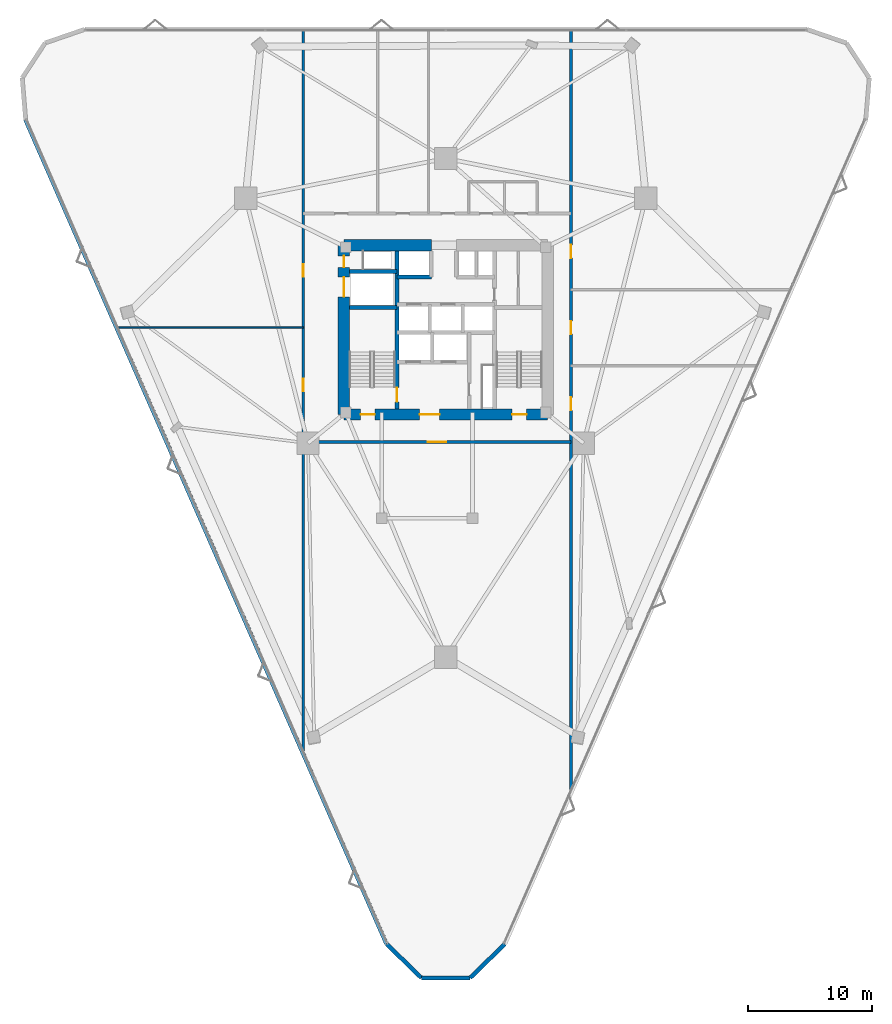
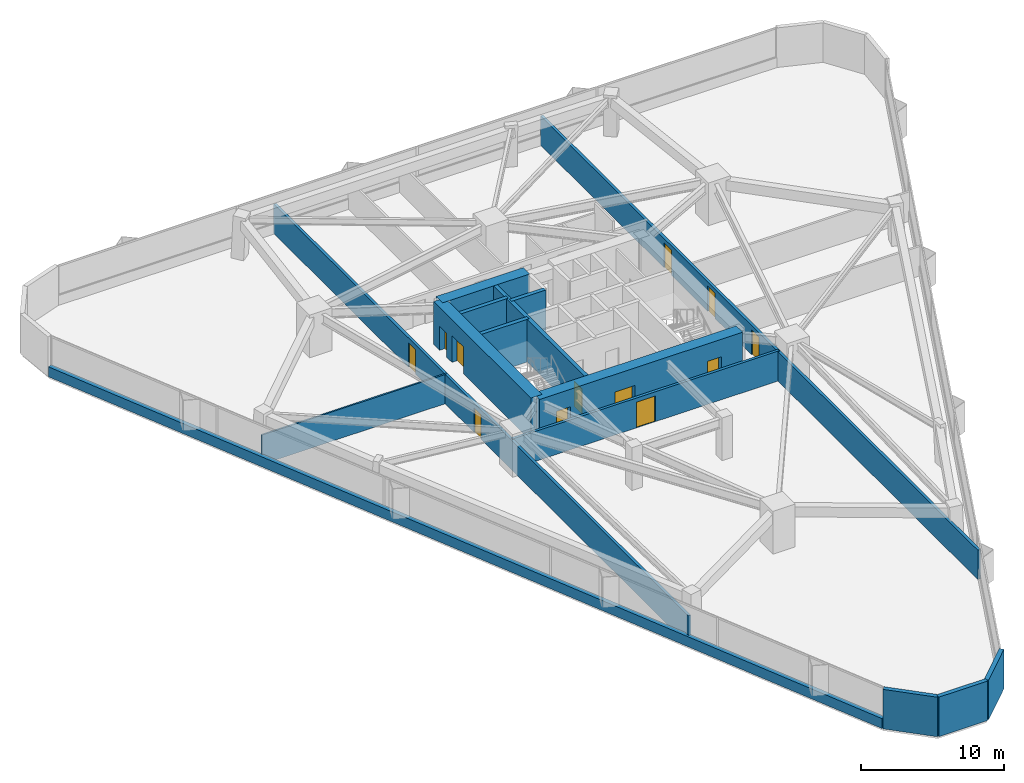
# One storey, part 17 of 20: 15 walls, 12 doors, 12 openings.
"""IFC4 building model written with IfcOpenShell, lengths in metres."""

import ifcopenshell
import ifcopenshell.guid

model = None  # the IFC model being written
_history = None  # IfcOwnerHistory: only IFC2X3 demands one
_inside = {}  # id of a spatial element -> (the spatial element, [elements in it])
_under = {}  # id of a project, library or spatial element -> (it, [spatial elements below it])
_declared = {}  # id of a project -> (the project, [libraries it declares])
_typed = {}  # id of a type object -> (the type object, [elements of that type])
_made_of = {}  # id of a material, layer set ... -> (it, [elements and type objects made of it])


def new_model(schema):
    """Start an empty IFC model of exactly this schema.

    Asked for "IFC4X3", IfcOpenShell would pick the latest addendum, in which some entities
    have other attributes; the version numbers below select the first issue.
    IFC2X3 requires an IfcOwnerHistory on every rooted entity: one is made here for all.
    """
    global model, _history
    if schema == "IFC4X3":
        model = ifcopenshell.file(schema_version=(4, 3, 0, 0))
    else:
        model = ifcopenshell.file(schema=schema)
    _inside.clear()
    _under.clear()
    _declared.clear()
    _typed.clear()
    _made_of.clear()
    _history = None
    if model.schema == "IFC2X3":
        org = make("IfcOrganization", Name="unknown")
        user = make(
            "IfcPersonAndOrganization",
            ThePerson=make("IfcPerson", FamilyName="unknown"),
            TheOrganization=org,
        )
        app = make(
            "IfcApplication",
            ApplicationDeveloper=org,
            Version="unknown",
            ApplicationFullName="unknown",
            ApplicationIdentifier="unknown",
        )
        _history = make(
            "IfcOwnerHistory",
            OwningUser=user,
            OwningApplication=app,
            ChangeAction="ADDED",
            CreationDate=0,
        )
    return model


def make(cls, **values):
    """One entity of the class cls with the attributes given. An attribute that is None is left unset."""
    return model.create_entity(
        cls, **{name: value for name, value in values.items() if value is not None}
    )


def rooted(cls, **values):
    """An entity with a GlobalId (a new one), such as an element, a storey or a relation."""
    return make(cls, GlobalId=ifcopenshell.guid.new(), OwnerHistory=_history, **values)


def si_unit(unit_type, name, prefix=None):
    """IfcSIUnit, for example si_unit("LENGTHUNIT", "METRE", prefix="MILLI")."""
    return make("IfcSIUnit", UnitType=unit_type, Prefix=prefix, Name=name)


def assignment(units):
    """IfcUnitAssignment: the units of a project."""
    return None if units is None else make("IfcUnitAssignment", Units=units)


def point(xyz):
    """IfcCartesianPoint."""
    return None if xyz is None else make("IfcCartesianPoint", Coordinates=xyz)


def direction(xyz):
    """IfcDirection."""
    return None if xyz is None else make("IfcDirection", DirectionRatios=xyz)


def frame(location, z_axis=None, x_axis=None):
    """IfcAxis2Placement3D, a coordinate frame: its origin and axes. An axis left out is left unset."""
    return make(
        "IfcAxis2Placement3D",
        Location=point(location),
        Axis=direction(z_axis),
        RefDirection=direction(x_axis),
    )


def frame_2d(location, x_axis=None):
    """IfcAxis2Placement2D, a coordinate frame in the plane: its origin and x axis."""
    return make(
        "IfcAxis2Placement2D", Location=point(location), RefDirection=direction(x_axis)
    )


def origin():
    """The frame at (0, 0, 0) with its axes left unset."""
    return frame((0.0, 0.0, 0.0))


def place(relative_to, where):
    """IfcLocalPlacement: puts the frame where relative to a parent placement (None: the world)."""
    return make(
        "IfcLocalPlacement", PlacementRelTo=relative_to, RelativePlacement=where
    )


def context(
    kind, dimensions, precision=None, world=None, true_north=None, identifier=None
):
    """IfcGeometricRepresentationContext, for example the 3D "Model" context."""
    return make(
        "IfcGeometricRepresentationContext",
        ContextIdentifier=identifier,
        ContextType=kind,
        CoordinateSpaceDimension=dimensions,
        Precision=precision,
        WorldCoordinateSystem=world,
        TrueNorth=true_north,
    )


def subcontext(parent, identifier, kind, view, scale=None):
    """IfcGeometricRepresentationSubContext, for example "Body" below "Model"."""
    return make(
        "IfcGeometricRepresentationSubContext",
        ContextIdentifier=identifier,
        ContextType=kind,
        ParentContext=parent,
        TargetScale=scale,
        TargetView=view,
    )


def project(units=None, contexts=None):
    """IfcProject with its units and contexts."""
    return rooted(
        "IfcProject",
        Name="project",
        RepresentationContexts=contexts,
        UnitsInContext=assignment(units),
    )


def spatial(cls, under=None, at=None, **own):
    """A site, building, storey or space (cls), placed at a placement, below another one or the project."""
    s = rooted(cls, ObjectPlacement=at, **own)
    if under is not None:
        _under.setdefault(under.id(), (under, []))[1].append(s)
    return s


def profile(cls, at=None, kind="AREA", **sizes):
    """A parametric profile (cls). Its sizes go by their IFC names, for example OverallWidth=200.0."""
    return make(cls, ProfileType=kind, Position=at, **sizes)


def rectangle(**sizes):
    """IfcRectangleProfileDef."""
    return profile("IfcRectangleProfileDef", **sizes)


def extrude(swept, where, along, depth):
    """IfcExtrudedAreaSolid: the profile swept, set in the frame where, extruded along a direction by depth."""
    return make(
        "IfcExtrudedAreaSolid",
        SweptArea=swept,
        Position=where,
        ExtrudedDirection=direction(along),
        Depth=depth,
    )


def shape(context_of_items, identifier, shape_type, items):
    """IfcShapeRepresentation: the items that make up one representation, for example the "Body"."""
    return make(
        "IfcShapeRepresentation",
        ContextOfItems=context_of_items,
        RepresentationIdentifier=identifier,
        RepresentationType=shape_type,
        Items=items,
    )


def material(Name=None, Category=None):
    """IfcMaterial."""
    return make("IfcMaterial", Name=Name, Category=Category)


def layer(
    of_material, thickness, ventilated=None, Name=None, Category=None, Priority=None
):
    """IfcMaterialLayer: one layer of a wall or slab, of a material (None: an air gap)."""
    return make(
        "IfcMaterialLayer",
        Material=of_material,
        LayerThickness=thickness,
        IsVentilated=ventilated,
        Name=Name,
        Category=Category,
        Priority=Priority,
    )


def layer_set(layers, Name=None):
    """IfcMaterialLayerSet."""
    return make("IfcMaterialLayerSet", MaterialLayers=layers, LayerSetName=Name)


def made_of(thing, what):
    """Note that an element or type object is made of a material, layer set ...; save() writes the relation."""
    if what is not None:
        _made_of.setdefault(what.id(), (what, []))[1].append(thing)
    return thing


def type_object(cls, material=None, **own):
    """A type object (cls), such as IfcWallType, which elements share."""
    return made_of(rooted(cls, **own), material)


def element(
    cls,
    number,
    at=None,
    inside=None,
    cuts=None,
    type_object=None,
    material=None,
    context=None,
    identifier="Body",
    shape_type=None,
    held_by="IfcProductDefinitionShape",
    body=None,
    shapes=None,
    **own,
):
    """One element of the class cls, such as IfcWall. Its Tag is "e" and its number.

    at: its placement. inside: the storey or other place that contains it. cuts: it is an
    opening in that element (IfcRelVoidsElement). A single representation is given by context,
    identifier, shape_type and body (its items); several are given by shapes. held_by: the class
    of the entity that holds the representations. save() writes the other relations.
    """
    e = rooted(cls, Tag="e%d" % number, ObjectPlacement=at, **own)
    if body is not None:
        shapes = [shape(context, identifier, shape_type, body)]
    if shapes is not None:
        e.Representation = make(held_by, Representations=shapes)
    if inside is not None:
        _inside.setdefault(inside.id(), (inside, []))[1].append(e)
    if cuts is not None:
        rooted(
            "IfcRelVoidsElement", RelatingBuildingElement=cuts, RelatedOpeningElement=e
        )
    if type_object is not None:
        _typed.setdefault(type_object.id(), (type_object, []))[1].append(e)
    return made_of(e, material)


def fill(opening, filler):
    """IfcRelFillsElement: the door or window that sits in an opening."""
    return rooted(
        "IfcRelFillsElement",
        RelatingOpeningElement=opening,
        RelatedBuildingElement=filler,
    )


def aggregate(whole, parts):
    """IfcRelAggregates: a whole, such as a stair, and the parts it consists of."""
    return rooted("IfcRelAggregates", RelatingObject=whole, RelatedObjects=parts)


def save(model, path):
    """Write the relations noted so far, then the file.

    IfcRelAggregates (storeys below a building ...), IfcRelContainedInSpatialStructure (elements
    in a storey), IfcRelDefinesByType, IfcRelAssociatesMaterial and IfcRelDeclares: one each for
    every whole, place, type object, material and project.
    """
    for whole, parts in _under.values():
        aggregate(whole, parts)
    for where, things in _inside.values():
        rooted(
            "IfcRelContainedInSpatialStructure",
            RelatedElements=things,
            RelatingStructure=where,
        )
    for kind, things in _typed.values():
        rooted("IfcRelDefinesByType", RelatedObjects=things, RelatingType=kind)
    for what, things in _made_of.values():
        rooted("IfcRelAssociatesMaterial", RelatedObjects=things, RelatingMaterial=what)
    for by, libraries in _declared.values():
        rooted("IfcRelDeclares", RelatingContext=by, RelatedDefinitions=libraries)
    model.write(path)


model = new_model("IFC4")

# Units and contexts
model_context = context("Model", 3, precision=1e-05, world=origin(), true_north=direction((0.0, 1.0)))
body_context = subcontext(model_context, "Body", "Model", "MODEL_VIEW")
ifc_project = project(units=[si_unit("LENGTHUNIT", "METRE"), si_unit("AREAUNIT", "SQUARE_METRE"), si_unit("VOLUMEUNIT", "CUBIC_METRE"), si_unit("PLANEANGLEUNIT", "RADIAN"), si_unit("MASSUNIT", "GRAM", prefix="KILO")], contexts=[model_context])

# Site, building, storey
site_placement = place(None, origin())
site = spatial("IfcSite", under=ifc_project, at=site_placement, CompositionType="ELEMENT")
building_placement = place(site_placement, origin())
building = spatial("IfcBuilding", under=site, at=building_placement, Name="Talyreon Biosciences Tower", CompositionType="ELEMENT")
storey_placement = place(building_placement, frame((0.0, 0.0, 41.050048828125)))
storey = spatial("IfcBuildingStorey", under=building, at=storey_placement, Name="L10", CompositionType="ELEMENT", Elevation=41.050048828125)

# Wall, opening, door
ifc_material_1 = material(Name="Concrete C50/60", Category="concrete")
ifc_layer_1 = layer(ifc_material_1, 0.320068359375)
ifc_layer_set_1 = layer_set([ifc_layer_1], Name="Concrete C50/60")
wall_type_1 = type_object("IfcWallType", Name="CoreShearWall_320", PredefinedType="SHEAR", material=ifc_layer_set_1)
wall_1_placement = place(storey_placement, frame((62.090087890625, 61.64990234375, 0.0), z_axis=(0.0, 0.0, 1.0), x_axis=(0.0, 1.0, 0.0)))
wall_1 = element("IfcWall", 1, at=wall_1_placement, inside=storey, type_object=wall_type_1, Name="L10 Core Shaft Wall SW1E", PredefinedType="SHEAR", context=body_context, shape_type="SweptSolid", body=[
    extrude(rectangle(XDim=12.7001953125, YDim=0.320068359375, at=frame_2d((6.35009765625, 0.0))), origin(), (0.0, 0.0, 1.0), 3.64990234375),
])
opening_1_placement = place(wall_1_placement, frame((0.550048828125, 0.0, 0.0)))
opening_1 = element("IfcOpeningElement", 2, at=opening_1_placement, cuts=wall_1, Name="Opening DR-L10-FF-ST1", PredefinedType="OPENING", context=body_context, shape_type="SweptSolid", body=[
    extrude(rectangle(XDim=1.14990234375, YDim=2.14990234375, at=frame_2d((0.574951171875, 1.074951171875))), frame((0.0, 0.169921875, 0.0), z_axis=(0.0, -1.0, 0.0), x_axis=(1.0, 0.0, 0.0)), (0.0, 0.0, 1.0), 0.340087890625),
])
ifc_material_2 = material(Name="Painted steel fire door", Category="steel")
door_type_1 = type_object("IfcDoorType", Name="StairShaftFireDoor_1150x2150", OperationType="NOTDEFINED", PredefinedType="DOOR", material=ifc_material_2)
door_1_placement = place(opening_1_placement, origin())
door_1 = element("IfcDoor", 3, at=door_1_placement, inside=storey, type_object=door_type_1, Name="L10 Core Door DR-L10-FF-ST1", OperationType="SINGLE_SWING_LEFT", OverallHeight=2.14990234375, OverallWidth=1.14990234375, PredefinedType="DOOR", context=body_context, shape_type="SweptSolid", body=[
    extrude(rectangle(XDim=1.14990234375, YDim=2.14990234375, at=frame_2d((0.574951171875, 1.074951171875))), frame((0.0, 0.02490234375, 0.0), z_axis=(0.0, -1.0, 0.0), x_axis=(1.0, 0.0, 0.0)), (0.0, 0.0, 1.0), 0.050048828125),
])
fill(opening_1, door_1)

# Walls
for number, where, z_axis, x_axis, name in (
    (4, (58.25, 69.81005859375, 0.0), (0.0, 0.0, 1.0), (1.0, 0.0, 0.0), "L10 Core Shaft Wall SW1N"),
    (5, (58.25, 72.699951171875, 0.0), (0.0, 0.0, 1.0), (1.0, 0.0, 0.0), "L10 Core Shaft Wall SWGLN"),
):
    element("IfcWall", number, at=place(storey_placement, frame(where, z_axis=z_axis, x_axis=x_axis)), inside=storey, type_object=wall_type_1, Name=name, PredefinedType="SHEAR", context=body_context, shape_type="SweptSolid", body=[
        extrude(rectangle(XDim=3.840087890625, YDim=0.320068359375, at=frame_2d((1.919921875, 0.0))), origin(), (0.0, 0.0, 1.0), 3.64990234375),
    ])
wall_2_placement = place(storey_placement, frame((62.090087890625, 72.25, 0.0), z_axis=(0.0, 0.0, 1.0), x_axis=(1.0, 0.0, 0.0)))
element("IfcWall", 6, at=wall_2_placement, inside=storey, type_object=wall_type_1, Name="L10 Core Shaft Wall SWNPW", PredefinedType="SHEAR", context=body_context, shape_type="SweptSolid", body=[
    extrude(rectangle(XDim=2.760009765625, YDim=0.320068359375, at=frame_2d((1.3798828125, 0.0))), origin(), (0.0, 0.0, 1.0), 3.64990234375),
])

# Wall, openings, doors
ifc_material_3 = material(Name="Concrete C60/75", Category="concrete")
ifc_layer_2 = layer(ifc_material_3, 0.89990234375)
ifc_layer_set_2 = layer_set([ifc_layer_2], Name="Concrete C60/75")
wall_type_2 = type_object("IfcWallType", Name="CoreShearWall_900", PredefinedType="SHEAR", material=ifc_layer_set_2)
wall_3_placement = place(storey_placement, frame((57.800048828125, 61.199951171875, 0.0), z_axis=(0.0, 0.0, 1.0), x_axis=(1.0, 0.0, 0.0)))
wall_3 = element("IfcWall", 7, at=wall_3_placement, inside=storey, type_object=wall_type_2, Name="L10 Core Shear Wall S", PredefinedType="SHEAR", context=body_context, shape_type="SweptSolid", body=[
    extrude(rectangle(XDim=16.39990234375, YDim=0.89990234375, at=frame_2d((8.199951171875, 0.0))), origin(), (0.0, 0.0, 1.0), 3.64990234375),
])
opening_2_placement = place(wall_3_placement, frame((1.35009765625, 0.0, 0.0)))
opening_2 = element("IfcOpeningElement", 8, at=opening_2_placement, cuts=wall_3, Name="Opening DR-L10-ST1", PredefinedType="OPENING", context=body_context, shape_type="SweptSolid", body=[
    extrude(rectangle(XDim=1.14990234375, YDim=2.14990234375, at=frame_2d((0.574951171875, 1.074951171875))), frame((0.0, 0.4599609375, 0.0), z_axis=(0.0, -1.0, 0.0), x_axis=(1.0, 0.0, 0.0)), (0.0, 0.0, 1.0), 0.919921875),
])
opening_3_placement = place(wall_3_placement, frame((6.10009765625, 0.0, 0.0)))
opening_3 = element("IfcOpeningElement", 9, at=opening_3_placement, cuts=wall_3, Name="Opening DR-L10-FFL", PredefinedType="OPENING", context=body_context, shape_type="SweptSolid", body=[
    extrude(rectangle(XDim=1.60009765625, YDim=2.14990234375, at=frame_2d((0.800048828125, 1.074951171875))), frame((0.0, 0.4599609375, 0.0), z_axis=(0.0, -1.0, 0.0), x_axis=(1.0, 0.0, 0.0)), (0.0, 0.0, 1.0), 0.919921875),
])
opening_4_placement = place(wall_3_placement, frame((13.550048828125, 0.0, 0.0)))
opening_4 = element("IfcOpeningElement", 10, at=opening_4_placement, cuts=wall_3, Name="Opening DR-L10-ST2", PredefinedType="OPENING", context=body_context, shape_type="SweptSolid", body=[
    extrude(rectangle(XDim=1.14990234375, YDim=2.14990234375, at=frame_2d((0.574951171875, 1.074951171875))), frame((0.0, 0.4599609375, 0.0), z_axis=(0.0, -1.0, 0.0), x_axis=(1.0, 0.0, 0.0)), (0.0, 0.0, 1.0), 0.919921875),
])
ifc_material_4 = material(Name="Painted steel smoke-seal fire door", Category="steel")
door_type_2 = type_object("IfcDoorType", Name="FirefightingLobbyDoubleDoor_1600x2150", OperationType="DOUBLE_DOOR_SINGLE_SWING", PredefinedType="DOOR", material=ifc_material_4)
door_2_placement = place(opening_3_placement, origin())
door_2 = element("IfcDoor", 11, at=door_2_placement, inside=storey, type_object=door_type_2, Name="L10 Core Door DR-L10-FFL", OperationType="DOUBLE_DOOR_SINGLE_SWING", OverallHeight=2.14990234375, OverallWidth=1.60009765625, PredefinedType="DOOR", context=body_context, shape_type="SweptSolid", body=[
    extrude(rectangle(XDim=1.60009765625, YDim=2.14990234375, at=frame_2d((0.800048828125, 1.074951171875))), frame((0.0, 0.02490234375, 0.0), z_axis=(0.0, -1.0, 0.0), x_axis=(1.0, 0.0, 0.0)), (0.0, 0.0, 1.0), 0.050048828125),
])
fill(opening_3, door_2)
door_3_placement = place(opening_2_placement, origin())
door_3 = element("IfcDoor", 12, at=door_3_placement, inside=storey, type_object=door_type_1, Name="L10 Core Door DR-L10-ST1", OperationType="SINGLE_SWING_LEFT", OverallHeight=2.14990234375, OverallWidth=1.14990234375, PredefinedType="DOOR", context=body_context, shape_type="SweptSolid", body=[
    extrude(rectangle(XDim=1.14990234375, YDim=2.14990234375, at=frame_2d((0.574951171875, 1.074951171875))), frame((0.0, 0.02490234375, 0.0), z_axis=(0.0, -1.0, 0.0), x_axis=(1.0, 0.0, 0.0)), (0.0, 0.0, 1.0), 0.050048828125),
])
fill(opening_2, door_3)
door_4_placement = place(opening_4_placement, origin())
door_4 = element("IfcDoor", 13, at=door_4_placement, inside=storey, type_object=door_type_1, Name="L10 Core Door DR-L10-ST2", OperationType="SINGLE_SWING_RIGHT", OverallHeight=2.14990234375, OverallWidth=1.14990234375, PredefinedType="DOOR", context=body_context, shape_type="SweptSolid", body=[
    extrude(rectangle(XDim=1.14990234375, YDim=2.14990234375, at=frame_2d((0.574951171875, 1.074951171875))), frame((0.0, 0.02490234375, 0.0), z_axis=(0.0, -1.0, 0.0), x_axis=(1.0, 0.0, 0.0)), (0.0, 0.0, 1.0), 0.050048828125),
])
fill(opening_4, door_4)

# Wall
wall_4_placement = place(storey_placement, frame((64.85009765625, 74.800048828125, 0.0), z_axis=(0.0, 0.0, 1.0), x_axis=(-1.0, 0.0, 0.0)))
element("IfcWall", 14, at=wall_4_placement, inside=storey, type_object=wall_type_2, Name="L10 Core Shear Wall NW", PredefinedType="SHEAR", context=body_context, shape_type="SweptSolid", body=[
    extrude(rectangle(XDim=7.050048828125, YDim=0.89990234375, at=frame_2d((3.52490234375, 0.0))), origin(), (0.0, 0.0, 1.0), 3.64990234375),
])

# Wall, openings, doors
wall_5_placement = place(storey_placement, frame((57.800048828125, 74.800048828125, 0.0), z_axis=(0.0, 0.0, 1.0), x_axis=(0.0, -1.0, 0.0)))
wall_5 = element("IfcWall", 15, at=wall_5_placement, inside=storey, type_object=wall_type_2, Name="L10 Core Shear Wall W", PredefinedType="SHEAR", context=body_context, shape_type="SweptSolid", body=[
    extrude(rectangle(XDim=13.60009765625, YDim=0.89990234375, at=frame_2d((6.800048828125, 0.0))), origin(), (0.0, 0.0, 1.0), 3.64990234375),
])
opening_5_placement = place(wall_5_placement, frame((0.85009765625, 0.0, 0.0)))
opening_5 = element("IfcOpeningElement", 16, at=opening_5_placement, cuts=wall_5, Name="Opening DR-L10-RSW", PredefinedType="OPENING", context=body_context, shape_type="SweptSolid", body=[
    extrude(rectangle(XDim=0.919921875, YDim=2.050048828125, at=frame_2d((0.4599609375, 1.02490234375))), frame((0.0, 0.4599609375, 0.0), z_axis=(0.0, -1.0, 0.0), x_axis=(1.0, 0.0, 0.0)), (0.0, 0.0, 1.0), 0.919921875),
])
opening_6_placement = place(wall_5_placement, frame((2.550048828125, 0.0, 0.0)))
opening_6 = element("IfcOpeningElement", 17, at=opening_6_placement, cuts=wall_5, Name="Opening LD-L10-GL1", PredefinedType="OPENING", context=body_context, shape_type="SweptSolid", body=[
    extrude(rectangle(XDim=1.60009765625, YDim=2.300048828125, at=frame_2d((0.800048828125, 1.14990234375))), frame((0.0, 0.4599609375, 0.0), z_axis=(0.0, -1.0, 0.0), x_axis=(1.0, 0.0, 0.0)), (0.0, 0.0, 1.0), 0.919921875),
])
ifc_material_5 = material(Name="Heavy-duty stainless-steel goods lift door", Category="steel")
door_type_3 = type_object("IfcDoorType", Name="GoodsLiftSlidingDoor_1600x2300", OperationType="DOUBLE_DOOR_SLIDING", PredefinedType="DOOR", material=ifc_material_5)
door_5_placement = place(opening_6_placement, origin())
door_5 = element("IfcDoor", 18, at=door_5_placement, inside=storey, type_object=door_type_3, Name="L10 Core Door LD-L10-GL1", OperationType="DOUBLE_DOOR_SLIDING", OverallHeight=2.300048828125, OverallWidth=1.60009765625, PredefinedType="DOOR", context=body_context, shape_type="SweptSolid", body=[
    extrude(rectangle(XDim=1.60009765625, YDim=2.300048828125, at=frame_2d((0.800048828125, 1.14990234375))), frame((0.0, 0.02490234375, 0.0), z_axis=(0.0, -1.0, 0.0), x_axis=(1.0, 0.0, 0.0)), (0.0, 0.0, 1.0), 0.050048828125),
])
fill(opening_6, door_5)
ifc_material_6 = material(Name="Painted steel fire-rated riser door", Category="steel")
door_type_4 = type_object("IfcDoorType", Name="RiserPlantAccessDoor_920x2050", OperationType="NOTDEFINED", PredefinedType="DOOR", material=ifc_material_6)
door_6_placement = place(opening_5_placement, origin())
door_6 = element("IfcDoor", 19, at=door_6_placement, inside=storey, type_object=door_type_4, Name="L10 Core Door DR-L10-RSW", OperationType="SINGLE_SWING_LEFT", OverallHeight=2.050048828125, OverallWidth=0.919921875, PredefinedType="DOOR", context=body_context, shape_type="SweptSolid", body=[
    extrude(rectangle(XDim=0.919921875, YDim=2.050048828125, at=frame_2d((0.4599609375, 1.02490234375))), frame((0.0, 0.02490234375, 0.0), z_axis=(0.0, -1.0, 0.0), x_axis=(1.0, 0.0, 0.0)), (0.0, 0.0, 1.0), 0.050048828125),
])
fill(opening_5, door_6)

# Wall, opening, door
ifc_material_7 = material(Name="Gypsum fireboard acoustic stud", Category="gypsum")
ifc_layer_3 = layer(ifc_material_7, 0.219970703125)
ifc_layer_set_3 = layer_set([ifc_layer_3], Name="Gypsum fireboard acoustic stud")
wall_type_3 = type_object("IfcWallType", Name="CorridorRatedPartition_220", PredefinedType="PARTITIONING", material=ifc_layer_set_3)
wall_6_placement = place(storey_placement, frame((54.530029296875, 58.97998046875, 0.0), z_axis=(0.0, 0.0, 1.0), x_axis=(1.0, 0.0, 0.0)))
wall_6 = element("IfcWall", 20, at=wall_6_placement, inside=storey, type_object=wall_type_3, Name="L10 Interior Wall IW-L10-COR-S", PredefinedType="PARTITIONING", context=body_context, shape_type="SweptSolid", body=[
    extrude(rectangle(XDim=21.5400390625, YDim=0.219970703125, at=frame_2d((10.77001953125, 0.0))), origin(), (0.0, 0.0, 1.0), 2.554931640625),
])
opening_7_placement = place(wall_6_placement, frame((10.02001953125, 0.0, 0.0)))
opening_7 = element("IfcOpeningElement", 21, at=opening_7_placement, cuts=wall_6, Name="Opening DR-L10-S1A", PredefinedType="OPENING", context=body_context, shape_type="SweptSolid", body=[
    extrude(rectangle(XDim=1.5, YDim=2.199951171875, at=frame_2d((0.75, 1.10009765625))), frame((0.0, 0.119873046875, 0.0), z_axis=(0.0, -1.0, 0.0), x_axis=(1.0, 0.0, 0.0)), (0.0, 0.0, 1.0), 0.239990234375),
])
ifc_material_8 = material(Name="Vision-panel steel laboratory fire door", Category="steel")
door_type_5 = type_object("IfcDoorType", Name="WetLabDoubleLeafDoor_1500x2200", OperationType="DOUBLE_DOOR_SINGLE_SWING", PredefinedType="DOOR", material=ifc_material_8)
door_7_placement = place(opening_7_placement, origin())
door_7 = element("IfcDoor", 22, at=door_7_placement, inside=storey, type_object=door_type_5, Name="L10 Interior Door DR-L10-S1A", OperationType="DOUBLE_DOOR_SINGLE_SWING", OverallHeight=2.199951171875, OverallWidth=1.5, PredefinedType="DOOR", context=body_context, shape_type="SweptSolid", body=[
    extrude(rectangle(XDim=1.5, YDim=2.199951171875, at=frame_2d((0.75, 1.10009765625))), frame((0.0, 0.02490234375, 0.0), z_axis=(0.0, -1.0, 0.0), x_axis=(1.0, 0.0, 0.0)), (0.0, 0.0, 1.0), 0.050048828125),
])
fill(opening_7, door_7)

# Wall, openings, doors
wall_7_placement = place(storey_placement, frame((54.530029296875, 34.11328125, 0.0), z_axis=(0.0, 0.0, 1.0), x_axis=(0.0, 1.0, 0.0)))
wall_7 = element("IfcWall", 23, at=wall_7_placement, inside=storey, type_object=wall_type_3, Name="L10 Interior Wall IW-L10-COR-W", PredefinedType="PARTITIONING", context=body_context, shape_type="SweptSolid", body=[
    extrude(rectangle(XDim=57.9892578125, YDim=0.219970703125, at=frame_2d((28.99462890625, 0.0))), origin(), (0.0, 0.0, 1.0), 2.5048828125),
])
opening_8_placement = place(wall_7_placement, frame((28.964111328125, 0.0, 0.0)))
opening_8 = element("IfcOpeningElement", 24, at=opening_8_placement, cuts=wall_7, Name="Opening DR-L10-W1A", PredefinedType="OPENING", context=body_context, shape_type="SweptSolid", body=[
    extrude(rectangle(XDim=1.0, YDim=2.10009765625, at=frame_2d((0.5, 1.050048828125))), frame((0.0, 0.119873046875, 0.0), z_axis=(0.0, -1.0, 0.0), x_axis=(1.0, 0.0, 0.0)), (0.0, 0.0, 1.0), 0.239990234375),
])
opening_9_placement = place(wall_7_placement, frame((38.158935546875, 0.0, 0.0)))
opening_9 = element("IfcOpeningElement", 25, at=opening_9_placement, cuts=wall_7, Name="Opening DR-L10-W2A", PredefinedType="OPENING", context=body_context, shape_type="SweptSolid", body=[
    extrude(rectangle(XDim=1.0, YDim=2.10009765625, at=frame_2d((0.5, 1.050048828125))), frame((0.0, 0.119873046875, 0.0), z_axis=(0.0, -1.0, 0.0), x_axis=(1.0, 0.0, 0.0)), (0.0, 0.0, 1.0), 0.239990234375),
])
ifc_material_9 = material(Name="Acoustic oak veneer office door", Category="wood")
door_type_6 = type_object("IfcDoorType", Name="WriteupOfficeDoor_1000x2100", OperationType="NOTDEFINED", PredefinedType="DOOR", material=ifc_material_9)
door_8_placement = place(opening_8_placement, origin())
door_8 = element("IfcDoor", 26, at=door_8_placement, inside=storey, type_object=door_type_6, Name="L10 Interior Door DR-L10-W1A", OperationType="SINGLE_SWING_RIGHT", OverallHeight=2.10009765625, OverallWidth=1.0, PredefinedType="DOOR", context=body_context, shape_type="SweptSolid", body=[
    extrude(rectangle(XDim=1.0, YDim=2.10009765625, at=frame_2d((0.5, 1.050048828125))), frame((0.0, 0.02490234375, 0.0), z_axis=(0.0, -1.0, 0.0), x_axis=(1.0, 0.0, 0.0)), (0.0, 0.0, 1.0), 0.050048828125),
])
fill(opening_8, door_8)
door_9_placement = place(opening_9_placement, origin())
door_9 = element("IfcDoor", 27, at=door_9_placement, inside=storey, type_object=door_type_6, Name="L10 Interior Door DR-L10-W2A", OperationType="SINGLE_SWING_LEFT", OverallHeight=2.10009765625, OverallWidth=1.0, PredefinedType="DOOR", context=body_context, shape_type="SweptSolid", body=[
    extrude(rectangle(XDim=1.0, YDim=2.10009765625, at=frame_2d((0.5, 1.050048828125))), frame((0.0, 0.02490234375, 0.0), z_axis=(0.0, -1.0, 0.0), x_axis=(1.0, 0.0, 0.0)), (0.0, 0.0, 1.0), 0.050048828125),
])
fill(opening_9, door_9)

wall_8_placement = place(storey_placement, frame((76.070068359375, 30.9169921875, 0.0), z_axis=(0.0, 0.0, 1.0), x_axis=(0.0, 1.0, 0.0)))
wall_8 = element("IfcWall", 28, at=wall_8_placement, inside=storey, type_object=wall_type_3, Name="L10 Interior Wall IW-L10-COR-E", PredefinedType="PARTITIONING", context=body_context, shape_type="SweptSolid", body=[
    extrude(rectangle(XDim=61.185546875, YDim=0.219970703125, at=frame_2d((30.5927734375, 0.0))), origin(), (0.0, 0.0, 1.0), 2.5048828125),
])
opening_10_placement = place(wall_8_placement, frame((30.60302734375, 0.0, 0.0)))
opening_10 = element("IfcOpeningElement", 29, at=opening_10_placement, cuts=wall_8, Name="Opening DR-L10-E1A", PredefinedType="OPENING", context=body_context, shape_type="SweptSolid", body=[
    extrude(rectangle(XDim=1.050048828125, YDim=2.14990234375, at=frame_2d((0.52490234375, 1.074951171875))), frame((0.0, 0.119873046875, 0.0), z_axis=(0.0, -1.0, 0.0), x_axis=(1.0, 0.0, 0.0)), (0.0, 0.0, 1.0), 0.239990234375),
])
opening_11_placement = place(wall_8_placement, frame((36.73291015625, 0.0, 0.0)))
opening_11 = element("IfcOpeningElement", 30, at=opening_11_placement, cuts=wall_8, Name="Opening DR-L10-E2A", PredefinedType="OPENING", context=body_context, shape_type="SweptSolid", body=[
    extrude(rectangle(XDim=1.050048828125, YDim=2.14990234375, at=frame_2d((0.52490234375, 1.074951171875))), frame((0.0, 0.119873046875, 0.0), z_axis=(0.0, -1.0, 0.0), x_axis=(1.0, 0.0, 0.0)), (0.0, 0.0, 1.0), 0.239990234375),
])
opening_12_placement = place(wall_8_placement, frame((42.863037109375, 0.0, 0.0)))
opening_12 = element("IfcOpeningElement", 31, at=opening_12_placement, cuts=wall_8, Name="Opening DR-L10-E3A", PredefinedType="OPENING", context=body_context, shape_type="SweptSolid", body=[
    extrude(rectangle(XDim=1.050048828125, YDim=2.14990234375, at=frame_2d((0.52490234375, 1.074951171875))), frame((0.0, 0.119873046875, 0.0), z_axis=(0.0, -1.0, 0.0), x_axis=(1.0, 0.0, 0.0)), (0.0, 0.0, 1.0), 0.239990234375),
])
ifc_material_10 = material(Name="Acoustic timber-core laboratory door", Category="wood")
door_type_7 = type_object("IfcDoorType", Name="DryLabSingleDoor_1050x2150", OperationType="NOTDEFINED", PredefinedType="DOOR", material=ifc_material_10)
door_10_placement = place(opening_10_placement, origin())
door_10 = element("IfcDoor", 32, at=door_10_placement, inside=storey, type_object=door_type_7, Name="L10 Interior Door DR-L10-E1A", OperationType="SINGLE_SWING_RIGHT", OverallHeight=2.14990234375, OverallWidth=1.050048828125, PredefinedType="DOOR", context=body_context, shape_type="SweptSolid", body=[
    extrude(rectangle(XDim=1.050048828125, YDim=2.14990234375, at=frame_2d((0.52490234375, 1.074951171875))), frame((0.0, 0.02490234375, 0.0), z_axis=(0.0, -1.0, 0.0), x_axis=(1.0, 0.0, 0.0)), (0.0, 0.0, 1.0), 0.050048828125),
])
fill(opening_10, door_10)
door_11_placement = place(opening_11_placement, origin())
door_11 = element("IfcDoor", 33, at=door_11_placement, inside=storey, type_object=door_type_7, Name="L10 Interior Door DR-L10-E2A", OperationType="SINGLE_SWING_LEFT", OverallHeight=2.14990234375, OverallWidth=1.050048828125, PredefinedType="DOOR", context=body_context, shape_type="SweptSolid", body=[
    extrude(rectangle(XDim=1.050048828125, YDim=2.14990234375, at=frame_2d((0.52490234375, 1.074951171875))), frame((0.0, 0.02490234375, 0.0), z_axis=(0.0, -1.0, 0.0), x_axis=(1.0, 0.0, 0.0)), (0.0, 0.0, 1.0), 0.050048828125),
])
fill(opening_11, door_11)
door_12_placement = place(opening_12_placement, origin())
door_12 = element("IfcDoor", 34, at=door_12_placement, inside=storey, type_object=door_type_7, Name="L10 Interior Door DR-L10-E3A", OperationType="SINGLE_SWING_RIGHT", OverallHeight=2.14990234375, OverallWidth=1.050048828125, PredefinedType="DOOR", context=body_context, shape_type="SweptSolid", body=[
    extrude(rectangle(XDim=1.050048828125, YDim=2.14990234375, at=frame_2d((0.52490234375, 1.074951171875))), frame((0.0, 0.02490234375, 0.0), z_axis=(0.0, -1.0, 0.0), x_axis=(1.0, 0.0, 0.0)), (0.0, 0.0, 1.0), 0.050048828125),
])
fill(opening_12, door_12)

# Walls
ifc_material_11 = material(Name="Gypsum acoustic stud partition", Category="gypsum")
ifc_layer_4 = layer(ifc_material_11, 0.1298828125)
ifc_layer_set_4 = layer_set([ifc_layer_4], Name="Gypsum acoustic stud partition")
wall_type_4 = type_object("IfcWallType", Name="OfficeWriteupPartition_130", PredefinedType="PARTITIONING", material=ifc_layer_set_4)
wall_9_placement = place(storey_placement, frame((39.610107421875, 68.175048828125, 0.0), z_axis=(0.0, 0.0, 1.0), x_axis=(1.0, 0.0, 0.0)))
element("IfcWall", 35, at=wall_9_placement, inside=storey, type_object=wall_type_4, Name="L10 Interior Wall IW-L10-WDIV1", PredefinedType="PARTITIONING", context=body_context, shape_type="SweptSolid", body=[
    extrude(rectangle(XDim=14.919921875, YDim=0.1298828125, at=frame_2d((7.4599609375, 0.0))), origin(), (0.0, 0.0, 1.0), 2.5048828125),
])
ifc_material_12 = material(Name="Precast concrete C45/55", Category="concrete")
ifc_layer_5 = layer(ifc_material_12, 0.340087890625)
ifc_layer_set_5 = layer_set([ifc_layer_5], Name="Precast concrete C45/55")
wall_type_5 = type_object("IfcWallType", Name="PrecastConcreteSpandrelWall_340", PredefinedType="STANDARD", material=ifc_layer_set_5)
wall_10_placement = place(storey_placement, frame((61.23681640625, 18.589599609375, 0.0), z_axis=(0.0, 0.0, 1.0), x_axis=(-0.40122003264, 0.915981705826, 0.0)))
element("IfcWall", 36, at=wall_10_placement, inside=storey, type_object=wall_type_5, Name="L10 Expressed Concrete Sill Wall 00", PredefinedType="STANDARD", context=body_context, shape_type="SweptSolid", body=[
    extrude(rectangle(XDim=72.39404296875, YDim=0.340087890625, at=frame_2d((36.197021484375, 0.0))), origin(), (0.0, 0.0, 1.0), 0.849853515625),
])
wall_11_placement = place(storey_placement, frame((70.76318359375, 18.589599609375, 0.0), z_axis=(0.0, 0.0, 1.0), x_axis=(-0.716582721765, -0.697502116748, 0.0)))
element("IfcWall", 37, at=wall_11_placement, inside=storey, type_object=wall_type_5, Name="L10 Rounded-Corner Concrete Pier 09", PredefinedType="STANDARD", context=body_context, shape_type="SweptSolid", body=[
    extrude(rectangle(XDim=3.915283203125, YDim=0.340087890625, at=frame_2d((1.95751953125, 0.0))), origin(), (0.0, 0.0, 1.0), 3.375),
])
wall_12_placement = place(storey_placement, frame((67.95751953125, 15.858642578125, 0.0), z_axis=(0.0, 0.0, 1.0), x_axis=(-1.0, 0.0, 0.0)))
element("IfcWall", 38, at=wall_12_placement, inside=storey, type_object=wall_type_5, Name="L10 Rounded-Corner Concrete Pier 10", PredefinedType="STANDARD", context=body_context, shape_type="SweptSolid", body=[
    extrude(rectangle(XDim=3.9150390625, YDim=0.340087890625, at=frame_2d((1.95751953125, 0.0))), origin(), (0.0, 0.0, 1.0), 3.375),
])
wall_13_placement = place(storey_placement, frame((64.04248046875, 15.858642578125, 0.0), z_axis=(0.0, 0.0, 1.0), x_axis=(-0.716582721765, 0.697502116748, 0.0)))
element("IfcWall", 39, at=wall_13_placement, inside=storey, type_object=wall_type_5, Name="L10 Rounded-Corner Concrete Pier 11", PredefinedType="STANDARD", context=body_context, shape_type="SweptSolid", body=[
    extrude(rectangle(XDim=3.915283203125, YDim=0.340087890625, at=frame_2d((1.95751953125, 0.0))), origin(), (0.0, 0.0, 1.0), 3.375),
])

save(model, "model.ifc")
